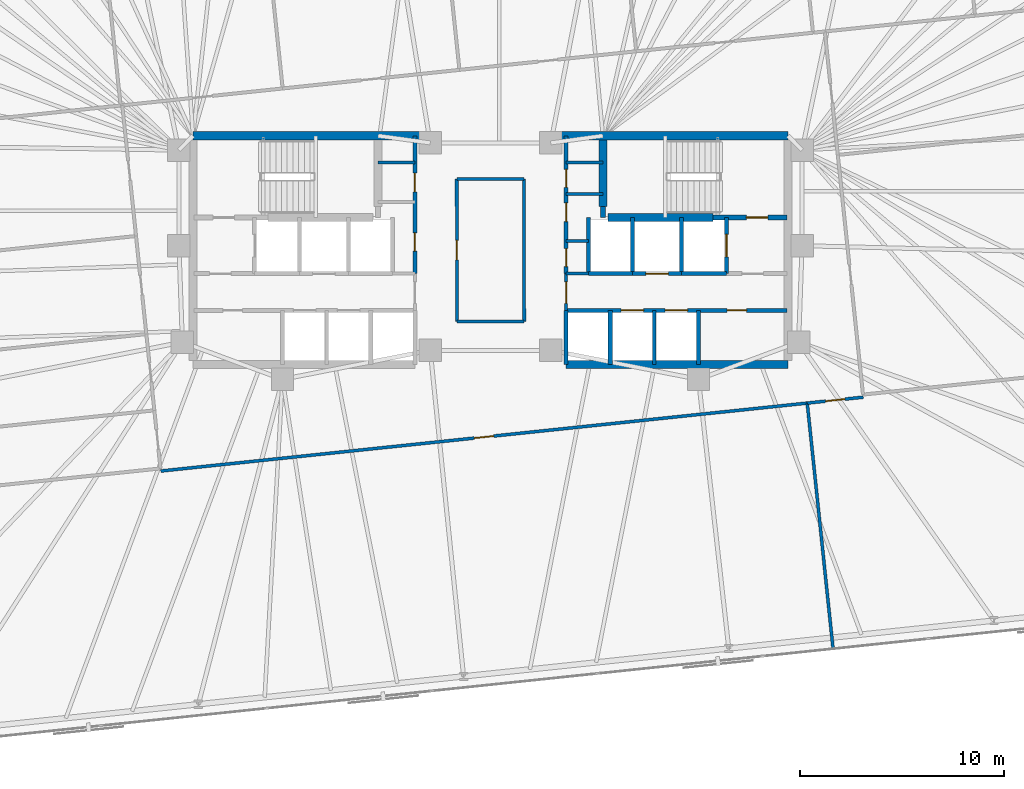
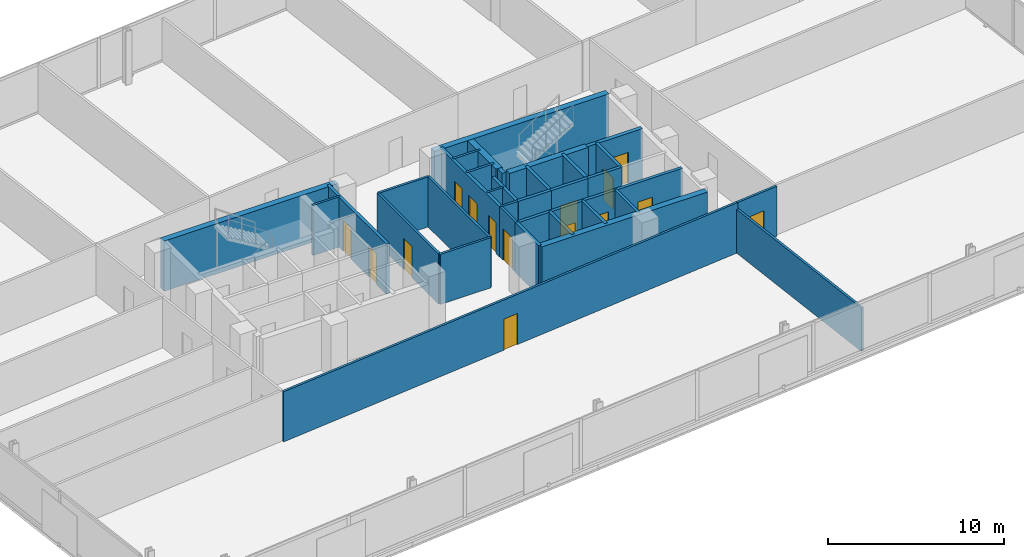
# One storey, part 15 of 18: 34 walls, 15 doors, 15 openings.
"""IFC4 building model written with IfcOpenShell, lengths in metres."""

from ifc_helpers import new_model, si_unit, direction, frame, frame_2d, origin, place, context, subcontext, project, spatial, rectangle, extrude, material, layer, layer_set, type_object, element, fill, save


model = new_model("IFC4")

# Units and contexts
model_context = context("Model", 3, precision=1e-05, world=origin(), true_north=direction((0.0, 1.0)))
body_context = subcontext(model_context, "Body", "Model", "MODEL_VIEW")
ifc_project = project(units=[si_unit("LENGTHUNIT", "METRE"), si_unit("AREAUNIT", "SQUARE_METRE"), si_unit("VOLUMEUNIT", "CUBIC_METRE"), si_unit("PLANEANGLEUNIT", "RADIAN"), si_unit("MASSUNIT", "GRAM", prefix="KILO")], contexts=[model_context])

# Site, building, storey
site_placement = place(None, origin())
site = spatial("IfcSite", under=ifc_project, at=site_placement, CompositionType="ELEMENT")
building_placement = place(site_placement, origin())
building = spatial("IfcBuilding", under=site, at=building_placement, Name="Menara Jurai Vektor", CompositionType="ELEMENT")
storey_placement = place(building_placement, frame((0.0, 0.0, 128.10009765625)))
storey = spatial("IfcBuildingStorey", under=building, at=storey_placement, Name="L32", CompositionType="ELEMENT", Elevation=128.10009765625)

# Wall, opening, door
ifc_material_1 = material(Name="Concrete C40/50", Category="concrete")
ifc_layer_1 = layer(ifc_material_1, 0.25)
ifc_layer_set_1 = layer_set([ifc_layer_1], Name="Concrete C40/50")
wall_type_1 = type_object("IfcWallType", Name="INT-WALL-CORE-250", PredefinedType="STANDARD", material=ifc_layer_set_1)
wall_1_placement = place(storey_placement, frame((10.89990234375, 1.60009765625, 0.0), z_axis=(0.0, 0.0, 1.0), x_axis=(1.0, 0.0, 0.0)))
wall_1 = element("IfcWall", 1, at=wall_1_placement, inside=storey, type_object=wall_type_1, Name="Interior Wall IW-250 L32", PredefinedType="STANDARD", context=body_context, shape_type="SweptSolid", body=[
    extrude(rectangle(XDim=3.60009765625, YDim=0.25, at=frame_2d((1.800048828125, 0.0))), origin(), (0.0, 0.0, 1.0), 3.474853515625),
])
opening_1_placement = place(wall_1_placement, frame((1.6201171875, 0.0, 0.0)))
opening_1 = element("IfcOpeningElement", 2, at=opening_1_placement, cuts=wall_1, Name="Opening D-L32-ST2", PredefinedType="OPENING", context=body_context, shape_type="SweptSolid", body=[
    extrude(rectangle(XDim=1.050048828125, YDim=2.14990234375, at=frame_2d((0.52490234375, 1.074951171875))), frame((0.0, 0.135009765625, 0.0), z_axis=(0.0, -1.0, 0.0), x_axis=(1.0, 0.0, 0.0)), (0.0, 0.0, 1.0), 0.27001953125),
])
ifc_material_2 = material(Name="Fire-Rated Steel Door", Category="steel")
door_type_1 = type_object("IfcDoorType", Name="DR-STAIR-1050", OperationType="NOTDEFINED", PredefinedType="DOOR", material=ifc_material_2)
door_1_placement = place(opening_1_placement, origin())
door_1 = element("IfcDoor", 3, at=door_1_placement, inside=storey, type_object=door_type_1, Name="Exit Stair ST2 Door L32", OperationType="SINGLE_SWING_LEFT", OverallHeight=2.14990234375, OverallWidth=1.050048828125, PredefinedType="DOOR", context=body_context, shape_type="SweptSolid", body=[
    extrude(rectangle(XDim=1.050048828125, YDim=2.14990234375, at=frame_2d((0.52490234375, 1.074951171875))), frame((0.0, 0.02490234375, 0.0), z_axis=(0.0, -1.0, 0.0), x_axis=(1.0, 0.0, 0.0)), (0.0, 0.0, 1.0), 0.050048828125),
])
fill(opening_1, door_1)

# Wall
wall_2_placement = place(storey_placement, frame((5.5, 1.60009765625, 0.0), z_axis=(0.0, 0.0, 1.0), x_axis=(0.0, 1.0, 0.0)))
element("IfcWall", 4, at=wall_2_placement, inside=storey, type_object=wall_type_1, Name="Interior Wall IW-250 L32", PredefinedType="STANDARD", context=body_context, shape_type="SweptSolid", body=[
    extrude(rectangle(XDim=0.5498046875, YDim=0.25, at=frame_2d((0.27490234375, 0.0))), origin(), (0.0, 0.0, 1.0), 3.474853515625),
])

# Wall, opening, door
wall_3_placement = place(storey_placement, frame((11.550048828125, -1.14990234375, 0.0), z_axis=(0.0, 0.0, 1.0), x_axis=(0.0, 1.0, 0.0)))
wall_3 = element("IfcWall", 5, at=wall_3_placement, inside=storey, type_object=wall_type_1, Name="Interior Wall IW-250 L32", PredefinedType="STANDARD", context=body_context, shape_type="SweptSolid", body=[
    extrude(rectangle(XDim=2.75, YDim=0.199951171875, at=frame_2d((1.375, 0.0))), origin(), (0.0, 0.0, 1.0), 3.474853515625),
])
opening_2_placement = place(wall_3_placement, frame((0.824951171875, 0.0, 0.0)))
opening_2 = element("IfcOpeningElement", 6, at=opening_2_placement, cuts=wall_3, Name="Opening LD-L32-FL2", PredefinedType="OPENING", context=body_context, shape_type="SweptSolid", body=[
    extrude(rectangle(XDim=1.10009765625, YDim=2.14990234375, at=frame_2d((0.550048828125, 1.074951171875))), frame((0.0, 0.10986328125, 0.0), z_axis=(0.0, -1.0, 0.0), x_axis=(1.0, 0.0, 0.0)), (0.0, 0.0, 1.0), 0.219970703125),
])
ifc_material_3 = material(Name="Stainless Steel Sliding Lift Landing Door", Category="steel")
door_type_2 = type_object("IfcDoorType", Name="DR-LIFT-FIRE-1100", OperationType="NOTDEFINED", PredefinedType="DOOR", material=ifc_material_3)
door_2_placement = place(opening_2_placement, origin())
door_2 = element("IfcDoor", 7, at=door_2_placement, inside=storey, type_object=door_type_2, Name="Lift Landing Door FL2 L32", OperationType="SLIDING_TO_RIGHT", OverallHeight=2.14990234375, OverallWidth=1.10009765625, PredefinedType="DOOR", context=body_context, shape_type="SweptSolid", body=[
    extrude(rectangle(XDim=1.10009765625, YDim=2.14990234375, at=frame_2d((0.550048828125, 1.074951171875))), frame((0.0, 0.02490234375, 0.0), z_axis=(0.0, -1.0, 0.0), x_axis=(1.0, 0.0, 0.0)), (0.0, 0.0, 1.0), 0.050048828125),
])
fill(opening_2, door_2)

# Walls
wall_4_placement = place(storey_placement, frame((9.35009765625, -1.14990234375, 0.0), z_axis=(0.0, 0.0, 1.0), x_axis=(0.0, 1.0, 0.0)))
element("IfcWall", 8, at=wall_4_placement, inside=storey, type_object=wall_type_1, Name="Interior Wall IW-250 L32", PredefinedType="STANDARD", context=body_context, shape_type="SweptSolid", body=[
    extrude(rectangle(XDim=2.75, YDim=0.199951171875, at=frame_2d((1.375, 0.0))), origin(), (0.0, 0.0, 1.0), 3.474853515625),
])
wall_5_placement = place(storey_placement, frame((9.35009765625, -1.14990234375, 0.0), z_axis=(0.0, 0.0, 1.0), x_axis=(1.0, 0.0, 0.0)))
element("IfcWall", 9, at=wall_5_placement, inside=storey, type_object=wall_type_1, Name="Interior Wall IW-250 L32", PredefinedType="STANDARD", context=body_context, shape_type="SweptSolid", body=[
    extrude(rectangle(XDim=2.199951171875, YDim=0.199951171875, at=frame_2d((1.10009765625, 0.0))), origin(), (0.0, 0.0, 1.0), 3.474853515625),
])

# Wall, opening, door
ifc_material_4 = material(Name="Gypsum Fireboard Partition", Category="gypsum")
ifc_layer_2 = layer(ifc_material_4, 0.14990234375)
ifc_layer_set_2 = layer_set([ifc_layer_2], Name="Gypsum Fireboard Partition")
wall_type_2 = type_object("IfcWallType", Name="INT-WALL-CORR-150", PredefinedType="PARTITIONING", material=ifc_layer_set_2)
wall_6_placement = place(storey_placement, frame((3.699951171875, -2.949951171875, 0.0), z_axis=(0.0, 0.0, 1.0), x_axis=(0.0, 1.0, 0.0)))
wall_6 = element("IfcWall", 10, at=wall_6_placement, inside=storey, type_object=wall_type_2, Name="Interior Wall IW-150 L32", PredefinedType="PARTITIONING", context=body_context, shape_type="SweptSolid", body=[
    extrude(rectangle(XDim=1.800048828125, YDim=0.14990234375, at=frame_2d((0.89990234375, 0.0))), origin(), (0.0, 0.0, 1.0), 3.474853515625),
])
opening_3_placement = place(wall_6_placement, frame((0.35009765625, 0.0, 0.0)))
opening_3 = element("IfcOpeningElement", 11, at=opening_3_placement, cuts=wall_6, Name="Opening D-L32-LLE", PredefinedType="OPENING", context=body_context, shape_type="SweptSolid", body=[
    extrude(rectangle(XDim=1.050048828125, YDim=2.179931640625, at=frame_2d((0.52490234375, 1.08984375))), frame((0.0, 0.0849609375, 0.0), z_axis=(0.0, -1.0, 0.0), x_axis=(1.0, 0.0, 0.0)), (0.0, 0.0, 1.0), 0.169921875),
])
ifc_material_5 = material(Name="Fire-Rated Timber Door", Category="wood")
door_type_3 = type_object("IfcDoorType", Name="DR-LOBBY-1050", OperationType="NOTDEFINED", PredefinedType="DOOR", material=ifc_material_5)
door_3_placement = place(opening_3_placement, frame((1.050048828125, 0.0, 0.0), z_axis=(0.0, 0.0, 1.0), x_axis=(-1.0, 0.0, 0.0)))
door_3 = element("IfcDoor", 12, at=door_3_placement, inside=storey, type_object=door_type_3, Name="Lift Lobby Corridor Door E L32", OperationType="SINGLE_SWING_RIGHT", OverallHeight=2.179931640625, OverallWidth=1.050048828125, PredefinedType="DOOR", context=body_context, shape_type="SweptSolid", body=[
    extrude(rectangle(XDim=1.050048828125, YDim=2.179931640625, at=frame_2d((0.52490234375, 1.08984375))), frame((0.0, 0.02490234375, 0.0), z_axis=(0.0, -1.0, 0.0), x_axis=(1.0, 0.0, 0.0)), (0.0, 0.0, 1.0), 0.050048828125),
])
fill(opening_3, door_3)

# Walls
wall_7_placement = place(storey_placement, frame((3.699951171875, -1.14990234375, 0.0), z_axis=(0.0, 0.0, 1.0), x_axis=(1.0, 0.0, 0.0)))
element("IfcWall", 13, at=wall_7_placement, inside=storey, type_object=wall_type_2, Name="Interior Wall IW-150 L32", PredefinedType="PARTITIONING", context=body_context, shape_type="SweptSolid", body=[
    extrude(rectangle(XDim=1.090087890625, YDim=0.14990234375, at=frame_2d((0.544921875, 0.0))), origin(), (0.0, 0.0, 1.0), 3.474853515625),
])
for number, where, z_axis, x_axis, name in (
    (14, (-5.5, 4.300048828125, 0.0), (0.0, 0.0, 1.0), (1.0, 0.0, 0.0), "Interior Wall IW-150 L32"),
    (15, (3.699951171875, 4.300048828125, 0.0), (0.0, 0.0, 1.0), (1.0, 0.0, 0.0), "Interior Wall IW-150 L32"),
):
    element("IfcWall", number, at=place(storey_placement, frame(where, z_axis=z_axis, x_axis=x_axis)), inside=storey, type_object=wall_type_2, Name=name, PredefinedType="PARTITIONING", context=body_context, shape_type="SweptSolid", body=[
        extrude(rectangle(XDim=1.800048828125, YDim=0.14990234375, at=frame_2d((0.89990234375, 0.0))), origin(), (0.0, 0.0, 1.0), 3.474853515625),
    ])
wall_8_placement = place(storey_placement, frame((3.699951171875, 0.449951171875, 0.0), z_axis=(0.0, 0.0, 1.0), x_axis=(1.0, 0.0, 0.0)))
element("IfcWall", 16, at=wall_8_placement, inside=storey, type_object=wall_type_2, Name="Interior Wall IW-150 L32", PredefinedType="PARTITIONING", context=body_context, shape_type="SweptSolid", body=[
    extrude(rectangle(XDim=1.090087890625, YDim=0.14990234375, at=frame_2d((0.544921875, 0.0))), origin(), (0.0, 0.0, 1.0), 3.474853515625),
])
wall_9_placement = place(storey_placement, frame((3.699951171875, 2.75, 0.0), z_axis=(0.0, 0.0, 1.0), x_axis=(1.0, 0.0, 0.0)))
element("IfcWall", 17, at=wall_9_placement, inside=storey, type_object=wall_type_2, Name="Interior Wall IW-150 L32", PredefinedType="PARTITIONING", context=body_context, shape_type="SweptSolid", body=[
    extrude(rectangle(XDim=1.800048828125, YDim=0.14990234375, at=frame_2d((0.89990234375, 0.0))), origin(), (0.0, 0.0, 1.0), 3.474853515625),
])

# Wall, opening, door
wall_10_placement = place(storey_placement, frame((-1.649658203125, -3.490478515625, 0.0), z_axis=(0.0, 0.0, 1.0), x_axis=(-0.000104928124, 0.999999994495, 0.0)))
wall_10 = element("IfcWall", 18, at=wall_10_placement, inside=storey, type_object=wall_type_2, Name="Interior Wall IW-150 L32", PredefinedType="PARTITIONING", context=body_context, shape_type="SweptSolid", body=[
    extrude(rectangle(XDim=6.980224609375, YDim=0.14990234375, at=frame_2d((3.490234375, 0.0))), origin(), (0.0, 0.0, 1.0), 3.474853515625),
])
opening_4_placement = place(wall_10_placement, frame((3.01513671875, 0.0, 0.0)))
opening_4 = element("IfcOpeningElement", 19, at=opening_4_placement, cuts=wall_10, Name="Opening D32-08", PredefinedType="OPENING", context=body_context, shape_type="SweptSolid", body=[
    extrude(rectangle(XDim=0.949951171875, YDim=2.14990234375, at=frame_2d((0.47509765625, 1.074951171875))), frame((0.0, 0.0849609375, 0.0), z_axis=(0.0, -1.0, 0.0), x_axis=(1.0, 0.0, 0.0)), (0.0, 0.0, 1.0), 0.169921875),
])
ifc_material_6 = material(Name="Solid Core Timber Fire Door", Category="wood")
door_type_4 = type_object("IfcDoorType", Name="DR-ENTRY-950", OperationType="NOTDEFINED", PredefinedType="DOOR", material=ifc_material_6)
door_4_placement = place(opening_4_placement, origin())
door_4 = element("IfcDoor", 20, at=door_4_placement, inside=storey, type_object=door_type_4, Name="Interior Door D32-08", OperationType="SINGLE_SWING_LEFT", OverallHeight=2.14990234375, OverallWidth=0.949951171875, PredefinedType="DOOR", context=body_context, shape_type="SweptSolid", body=[
    extrude(rectangle(XDim=0.949951171875, YDim=2.14990234375, at=frame_2d((0.47509765625, 1.074951171875))), frame((0.0, 0.02490234375, 0.0), z_axis=(0.0, -1.0, 0.0), x_axis=(1.0, 0.0, 0.0)), (0.0, 0.0, 1.0), 0.050048828125),
])
fill(opening_4, door_4)

# Walls
wall_11_placement = place(storey_placement, frame((-1.649658203125, -3.490478515625, 0.0), z_axis=(0.0, 0.0, 1.0), x_axis=(1.0, 0.0, 0.0)))
element("IfcWall", 21, at=wall_11_placement, inside=storey, type_object=wall_type_2, Name="Interior Wall IW-150 L32", PredefinedType="PARTITIONING", context=body_context, shape_type="SweptSolid", body=[
    extrude(rectangle(XDim=3.300048828125, YDim=0.14990234375, at=frame_2d((1.64990234375, 0.0))), origin(), (0.0, 0.0, 1.0), 3.474853515625),
])
wall_12_placement = place(storey_placement, frame((-1.650390625, 3.48974609375, 0.0), z_axis=(0.0, 0.0, 1.0), x_axis=(1.0, 0.0, 0.0)))
element("IfcWall", 22, at=wall_12_placement, inside=storey, type_object=wall_type_2, Name="Interior Wall IW-150 L32", PredefinedType="PARTITIONING", context=body_context, shape_type="SweptSolid", body=[
    extrude(rectangle(XDim=3.30029296875, YDim=0.14990234375, at=frame_2d((1.650146484375, 0.0))), origin(), (0.0, 0.0, 1.0), 3.474853515625),
])
wall_13_placement = place(storey_placement, frame((1.650390625, -3.490478515625, 0.0), z_axis=(0.0, 0.0, 1.0), x_axis=(-6.9952083e-05, 0.999999997553, 0.0)))
element("IfcWall", 23, at=wall_13_placement, inside=storey, type_object=wall_type_2, Name="Interior Wall IW-150 L32", PredefinedType="PARTITIONING", context=body_context, shape_type="SweptSolid", body=[
    extrude(rectangle(XDim=6.980224609375, YDim=0.14990234375, at=frame_2d((3.490234375, 0.0))), origin(), (0.0, 0.0, 1.0), 3.474853515625),
])

# Wall, opening, door
wall_14_placement = place(storey_placement, frame((-16.139892578125, -10.80908203125, 0.0), z_axis=(0.0, 0.0, 1.0), x_axis=(0.994522174335, 0.104525809046, 0.0)))
wall_14 = element("IfcWall", 24, at=wall_14_placement, inside=storey, type_object=wall_type_2, Name="Interior Wall IW-150 L32", PredefinedType="PARTITIONING", context=body_context, shape_type="SweptSolid", body=[
    extrude(rectangle(XDim=31.81689453125, YDim=0.14990234375, at=frame_2d((15.908447265625, 0.0))), origin(), (0.0, 0.0, 1.0), 3.474853515625),
])
opening_5_placement = place(wall_14_placement, frame((15.43359375, 0.0, 0.0)))
opening_5 = element("IfcOpeningElement", 25, at=opening_5_placement, cuts=wall_14, Name="Opening D32-13", PredefinedType="OPENING", context=body_context, shape_type="SweptSolid", body=[
    extrude(rectangle(XDim=0.949951171875, YDim=2.14990234375, at=frame_2d((0.47509765625, 1.074951171875))), frame((0.0, 0.0849609375, 0.0), z_axis=(0.0, -1.0, 0.0), x_axis=(1.0, 0.0, 0.0)), (0.0, 0.0, 1.0), 0.169921875),
])
door_5_placement = place(opening_5_placement, origin())
door_5 = element("IfcDoor", 26, at=door_5_placement, inside=storey, type_object=door_type_4, Name="Interior Door D32-13", OperationType="SINGLE_SWING_RIGHT", OverallHeight=2.14990234375, OverallWidth=0.949951171875, PredefinedType="DOOR", context=body_context, shape_type="SweptSolid", body=[
    extrude(rectangle(XDim=0.949951171875, YDim=2.14990234375, at=frame_2d((0.47509765625, 1.074951171875))), frame((0.0, 0.02490234375, 0.0), z_axis=(0.0, -1.0, 0.0), x_axis=(1.0, 0.0, 0.0)), (0.0, 0.0, 1.0), 0.050048828125),
])
fill(opening_5, door_5)

wall_15_placement = place(storey_placement, frame((15.502685546875, -7.4833984375, 0.0), z_axis=(0.0, 0.0, 1.0), x_axis=(0.994525813133, 0.104491181506, 0.0)))
wall_15 = element("IfcWall", 27, at=wall_15_placement, inside=storey, type_object=wall_type_2, Name="Interior Wall IW-150 L32", PredefinedType="PARTITIONING", context=body_context, shape_type="SweptSolid", body=[
    extrude(rectangle(XDim=2.757080078125, YDim=0.14990234375, at=frame_2d((1.37841796875, 0.0))), origin(), (0.0, 0.0, 1.0), 3.474853515625),
])
opening_6_placement = place(wall_15_placement, frame((0.903564453125, 0.0, 0.0)))
opening_6 = element("IfcOpeningElement", 28, at=opening_6_placement, cuts=wall_15, Name="Opening D32-14", PredefinedType="OPENING", context=body_context, shape_type="SweptSolid", body=[
    extrude(rectangle(XDim=0.949951171875, YDim=2.14990234375, at=frame_2d((0.47509765625, 1.074951171875))), frame((0.0, 0.0849609375, 0.0), z_axis=(0.0, -1.0, 0.0), x_axis=(1.0, 0.0, 0.0)), (0.0, 0.0, 1.0), 0.169921875),
])
door_6_placement = place(opening_6_placement, origin())
door_6 = element("IfcDoor", 29, at=door_6_placement, inside=storey, type_object=door_type_4, Name="Interior Door D32-14", OperationType="SINGLE_SWING_LEFT", OverallHeight=2.14990234375, OverallWidth=0.949951171875, PredefinedType="DOOR", context=body_context, shape_type="SweptSolid", body=[
    extrude(rectangle(XDim=0.949951171875, YDim=2.14990234375, at=frame_2d((0.47509765625, 1.074951171875))), frame((0.0, 0.02490234375, 0.0), z_axis=(0.0, -1.0, 0.0), x_axis=(1.0, 0.0, 0.0)), (0.0, 0.0, 1.0), 0.050048828125),
])
fill(opening_6, door_6)

# Wall
ifc_layer_3 = layer(ifc_material_4, 0.14990234375)
ifc_layer_set_3 = layer_set([ifc_layer_3], Name="Gypsum Fireboard Partition")
wall_type_3 = type_object("IfcWallType", Name="INT-WALL-CORR-150-H1", PredefinedType="PARTITIONING", material=ifc_layer_set_3)
wall_16_placement = place(storey_placement, frame((16.7666015625, -19.510009765625, 0.0), z_axis=(0.0, 0.0, 1.0), x_axis=(-0.104517685722, 0.994523028075, 0.0)))
element("IfcWall", 30, at=wall_16_placement, inside=storey, type_object=wall_type_3, Name="Interior Wall IW-150 L32", PredefinedType="PARTITIONING", context=body_context, shape_type="SweptSolid", body=[
    extrude(rectangle(XDim=12.0927734375, YDim=0.14990234375, at=frame_2d((6.04638671875, 0.0))), origin(), (0.0, 0.0, 1.0), 3.02490234375),
])

# Wall, openings, doors
ifc_layer_4 = layer(ifc_material_1, 0.199951171875)
ifc_layer_set_4 = layer_set([ifc_layer_4], Name="Concrete C40/50")
wall_type_4 = type_object("IfcWallType", Name="INT-WALL-SHAFT-200", PredefinedType="STANDARD", material=ifc_layer_set_4)
wall_17_placement = place(storey_placement, frame((-3.699951171875, -1.14990234375, 0.0), z_axis=(0.0, 0.0, 1.0), x_axis=(0.0, 1.0, 0.0)))
wall_17 = element("IfcWall", 31, at=wall_17_placement, inside=storey, type_object=wall_type_4, Name="Interior Wall IW-200 L32", PredefinedType="STANDARD", context=body_context, shape_type="SweptSolid", body=[
    extrude(rectangle(XDim=6.75, YDim=0.199951171875, at=frame_2d((3.375, 0.0))), origin(), (0.0, 0.0, 1.0), 3.474853515625),
])
opening_7_placement = place(wall_17_placement, frame((1.10009765625, 0.0, 0.0)))
opening_7 = element("IfcOpeningElement", 32, at=opening_7_placement, cuts=wall_17, Name="Opening D32-02", PredefinedType="OPENING", context=body_context, shape_type="SweptSolid", body=[
    extrude(rectangle(XDim=0.89990234375, YDim=2.14990234375, at=frame_2d((0.449951171875, 1.074951171875))), frame((0.0, 0.10986328125, 0.0), z_axis=(0.0, -1.0, 0.0), x_axis=(1.0, 0.0, 0.0)), (0.0, 0.0, 1.0), 0.219970703125),
])
opening_8_placement = place(wall_17_placement, frame((4.0, 0.0, 0.0)))
opening_8 = element("IfcOpeningElement", 33, at=opening_8_placement, cuts=wall_17, Name="Opening D32-03", PredefinedType="OPENING", context=body_context, shape_type="SweptSolid", body=[
    extrude(rectangle(XDim=0.919921875, YDim=2.14990234375, at=frame_2d((0.4599609375, 1.074951171875))), frame((0.0, 0.10986328125, 0.0), z_axis=(0.0, -1.0, 0.0), x_axis=(1.0, 0.0, 0.0)), (0.0, 0.0, 1.0), 0.219970703125),
])
door_7_placement = place(opening_7_placement, origin())
door_7 = element("IfcDoor", 34, at=door_7_placement, inside=storey, type_object=door_type_4, Name="Interior Door D32-02", OperationType="SINGLE_SWING_LEFT", OverallHeight=2.14990234375, OverallWidth=0.89990234375, PredefinedType="DOOR", context=body_context, shape_type="SweptSolid", body=[
    extrude(rectangle(XDim=0.89990234375, YDim=2.14990234375, at=frame_2d((0.449951171875, 1.074951171875))), frame((0.0, 0.02490234375, 0.0), z_axis=(0.0, -1.0, 0.0), x_axis=(1.0, 0.0, 0.0)), (0.0, 0.0, 1.0), 0.050048828125),
])
fill(opening_7, door_7)
door_8_placement = place(opening_8_placement, origin())
door_8 = element("IfcDoor", 35, at=door_8_placement, inside=storey, type_object=door_type_4, Name="Interior Door D32-03", OperationType="SINGLE_SWING_LEFT", OverallHeight=2.14990234375, OverallWidth=0.919921875, PredefinedType="DOOR", context=body_context, shape_type="SweptSolid", body=[
    extrude(rectangle(XDim=0.919921875, YDim=2.14990234375, at=frame_2d((0.4599609375, 1.074951171875))), frame((0.0, 0.02490234375, 0.0), z_axis=(0.0, -1.0, 0.0), x_axis=(1.0, 0.0, 0.0)), (0.0, 0.0, 1.0), 0.050048828125),
])
fill(opening_8, door_8)

wall_18_placement = place(storey_placement, frame((3.699951171875, -1.14990234375, 0.0), z_axis=(0.0, 0.0, 1.0), x_axis=(0.0, 1.0, 0.0)))
wall_18 = element("IfcWall", 36, at=wall_18_placement, inside=storey, type_object=wall_type_4, Name="Interior Wall IW-200 L32", PredefinedType="STANDARD", context=body_context, shape_type="SweptSolid", body=[
    extrude(rectangle(XDim=6.75, YDim=0.199951171875, at=frame_2d((3.375, 0.0))), origin(), (0.0, 0.0, 1.0), 3.474853515625),
])
opening_9_placement = place(wall_18_placement, frame((0.35009765625, 0.0, 0.0)))
opening_9 = element("IfcOpeningElement", 37, at=opening_9_placement, cuts=wall_18, Name="Opening D32-05", PredefinedType="OPENING", context=body_context, shape_type="SweptSolid", body=[
    extrude(rectangle(XDim=0.8798828125, YDim=2.14990234375, at=frame_2d((0.43994140625, 1.074951171875))), frame((0.0, 0.10986328125, 0.0), z_axis=(0.0, -1.0, 0.0), x_axis=(1.0, 0.0, 0.0)), (0.0, 0.0, 1.0), 0.219970703125),
])
opening_10_placement = place(wall_18_placement, frame((2.550048828125, 0.0, 0.0)))
opening_10 = element("IfcOpeningElement", 38, at=opening_10_placement, cuts=wall_18, Name="Opening D32-06", PredefinedType="OPENING", context=body_context, shape_type="SweptSolid", body=[
    extrude(rectangle(XDim=0.919921875, YDim=2.14990234375, at=frame_2d((0.4599609375, 1.074951171875))), frame((0.0, 0.10986328125, 0.0), z_axis=(0.0, -1.0, 0.0), x_axis=(1.0, 0.0, 0.0)), (0.0, 0.0, 1.0), 0.219970703125),
])
opening_11_placement = place(wall_18_placement, frame((4.219970703125, 0.0, 0.0)))
opening_11 = element("IfcOpeningElement", 39, at=opening_11_placement, cuts=wall_18, Name="Opening D32-07", PredefinedType="OPENING", context=body_context, shape_type="SweptSolid", body=[
    extrude(rectangle(XDim=0.8798828125, YDim=2.14990234375, at=frame_2d((0.43994140625, 1.074951171875))), frame((0.0, 0.10986328125, 0.0), z_axis=(0.0, -1.0, 0.0), x_axis=(1.0, 0.0, 0.0)), (0.0, 0.0, 1.0), 0.219970703125),
])
door_9_placement = place(opening_9_placement, origin())
door_9 = element("IfcDoor", 40, at=door_9_placement, inside=storey, type_object=door_type_4, Name="Interior Door D32-05", OperationType="SINGLE_SWING_RIGHT", OverallHeight=2.14990234375, OverallWidth=0.8798828125, PredefinedType="DOOR", context=body_context, shape_type="SweptSolid", body=[
    extrude(rectangle(XDim=0.8798828125, YDim=2.14990234375, at=frame_2d((0.43994140625, 1.074951171875))), frame((0.0, 0.02490234375, 0.0), z_axis=(0.0, -1.0, 0.0), x_axis=(1.0, 0.0, 0.0)), (0.0, 0.0, 1.0), 0.050048828125),
])
fill(opening_9, door_9)
door_10_placement = place(opening_10_placement, origin())
door_10 = element("IfcDoor", 41, at=door_10_placement, inside=storey, type_object=door_type_4, Name="Interior Door D32-06", OperationType="SINGLE_SWING_RIGHT", OverallHeight=2.14990234375, OverallWidth=0.919921875, PredefinedType="DOOR", context=body_context, shape_type="SweptSolid", body=[
    extrude(rectangle(XDim=0.919921875, YDim=2.14990234375, at=frame_2d((0.4599609375, 1.074951171875))), frame((0.0, 0.02490234375, 0.0), z_axis=(0.0, -1.0, 0.0), x_axis=(1.0, 0.0, 0.0)), (0.0, 0.0, 1.0), 0.050048828125),
])
fill(opening_10, door_10)
door_11_placement = place(opening_11_placement, origin())
door_11 = element("IfcDoor", 42, at=door_11_placement, inside=storey, type_object=door_type_4, Name="Interior Door D32-07", OperationType="SINGLE_SWING_RIGHT", OverallHeight=2.14990234375, OverallWidth=0.8798828125, PredefinedType="DOOR", context=body_context, shape_type="SweptSolid", body=[
    extrude(rectangle(XDim=0.8798828125, YDim=2.14990234375, at=frame_2d((0.43994140625, 1.074951171875))), frame((0.0, 0.02490234375, 0.0), z_axis=(0.0, -1.0, 0.0), x_axis=(1.0, 0.0, 0.0)), (0.0, 0.0, 1.0), 0.050048828125),
])
fill(opening_11, door_11)

# Walls
wall_19_placement = place(storey_placement, frame((3.699951171875, -5.60009765625, 0.0), z_axis=(0.0, 0.0, 1.0), x_axis=(0.0, 1.0, 0.0)))
element("IfcWall", 43, at=wall_19_placement, inside=storey, type_object=wall_type_4, Name="Interior Wall IW-200 L32", PredefinedType="STANDARD", context=body_context, shape_type="SweptSolid", body=[
    extrude(rectangle(XDim=2.650146484375, YDim=0.199951171875, at=frame_2d((1.3251953125, 0.0))), origin(), (0.0, 0.0, 1.0), 3.474853515625),
])
wall_20_placement = place(storey_placement, frame((6.949951171875, -1.14990234375, 0.0), z_axis=(0.0, 0.0, 1.0), x_axis=(0.0, 1.0, 0.0)))
element("IfcWall", 44, at=wall_20_placement, inside=storey, type_object=wall_type_4, Name="Interior Wall IW-200 L32", PredefinedType="STANDARD", context=body_context, shape_type="SweptSolid", body=[
    extrude(rectangle(XDim=2.75, YDim=0.199951171875, at=frame_2d((1.375, 0.0))), origin(), (0.0, 0.0, 1.0), 3.474853515625),
])

# Wall, opening, door
wall_21_placement = place(storey_placement, frame((6.949951171875, -1.14990234375, 0.0), z_axis=(0.0, 0.0, 1.0), x_axis=(1.0, 0.0, 0.0)))
wall_21 = element("IfcWall", 45, at=wall_21_placement, inside=storey, type_object=wall_type_4, Name="Interior Wall IW-200 L32", PredefinedType="STANDARD", context=body_context, shape_type="SweptSolid", body=[
    extrude(rectangle(XDim=2.400146484375, YDim=0.199951171875, at=frame_2d((1.2001953125, 0.0))), origin(), (0.0, 0.0, 1.0), 3.474853515625),
])
opening_12_placement = place(wall_21_placement, frame((0.64990234375, 0.0, 0.0)))
opening_12 = element("IfcOpeningElement", 46, at=opening_12_placement, cuts=wall_21, Name="Opening LD-L32-SVL2", PredefinedType="OPENING", context=body_context, shape_type="SweptSolid", body=[
    extrude(rectangle(XDim=1.10009765625, YDim=2.14990234375, at=frame_2d((0.550048828125, 1.074951171875))), frame((0.0, 0.10986328125, 0.0), z_axis=(0.0, -1.0, 0.0), x_axis=(1.0, 0.0, 0.0)), (0.0, 0.0, 1.0), 0.219970703125),
])
ifc_material_7 = material(Name="Anodised Stainless Sliding Lift Landing Door", Category="steel")
door_type_5 = type_object("IfcDoorType", Name="DR-LIFT-PASS-1100", OperationType="NOTDEFINED", PredefinedType="DOOR", material=ifc_material_7)
door_12_placement = place(opening_12_placement, origin())
door_12 = element("IfcDoor", 47, at=door_12_placement, inside=storey, type_object=door_type_5, Name="Lift Landing Door SVL2 L32", OperationType="SLIDING_TO_RIGHT", OverallHeight=2.14990234375, OverallWidth=1.10009765625, PredefinedType="DOOR", context=body_context, shape_type="SweptSolid", body=[
    extrude(rectangle(XDim=1.10009765625, YDim=2.14990234375, at=frame_2d((0.550048828125, 1.074951171875))), frame((0.0, 0.02490234375, 0.0), z_axis=(0.0, -1.0, 0.0), x_axis=(1.0, 0.0, 0.0)), (0.0, 0.0, 1.0), 0.050048828125),
])
fill(opening_12, door_12)

# Walls
wall_22_placement = place(storey_placement, frame((4.7900390625, -1.14990234375, 0.0), z_axis=(0.0, 0.0, 1.0), x_axis=(0.0, 1.0, 0.0)))
element("IfcWall", 48, at=wall_22_placement, inside=storey, type_object=wall_type_4, Name="Interior Wall IW-200 L32", PredefinedType="STANDARD", context=body_context, shape_type="SweptSolid", body=[
    extrude(rectangle(XDim=2.75, YDim=0.199951171875, at=frame_2d((1.375, 0.0))), origin(), (0.0, 0.0, 1.0), 3.474853515625),
])
wall_23_placement = place(storey_placement, frame((4.7900390625, -1.14990234375, 0.0), z_axis=(0.0, 0.0, 1.0), x_axis=(1.0, 0.0, 0.0)))
element("IfcWall", 49, at=wall_23_placement, inside=storey, type_object=wall_type_4, Name="Interior Wall IW-200 L32", PredefinedType="STANDARD", context=body_context, shape_type="SweptSolid", body=[
    extrude(rectangle(XDim=2.159912109375, YDim=0.199951171875, at=frame_2d((1.080078125, 0.0))), origin(), (0.0, 0.0, 1.0), 3.474853515625),
])

# Wall, openings, doors
wall_24_placement = place(storey_placement, frame((3.699951171875, -2.949951171875, 0.0), z_axis=(0.0, 0.0, 1.0), x_axis=(1.0, 0.0, 0.0)))
wall_24 = element("IfcWall", 50, at=wall_24_placement, inside=storey, type_object=wall_type_4, Name="Interior Wall IW-200 L32", PredefinedType="STANDARD", context=body_context, shape_type="SweptSolid", body=[
    extrude(rectangle(XDim=10.800048828125, YDim=0.199951171875, at=frame_2d((5.39990234375, 0.0))), origin(), (0.0, 0.0, 1.0), 3.474853515625),
])
opening_13_placement = place(wall_24_placement, frame((2.68994140625, 0.0, 0.0)))
opening_13 = element("IfcOpeningElement", 51, at=opening_13_placement, cuts=wall_24, Name="Opening LD-L32-PM3", PredefinedType="OPENING", context=body_context, shape_type="SweptSolid", body=[
    extrude(rectangle(XDim=1.10009765625, YDim=2.14990234375, at=frame_2d((0.550048828125, 1.074951171875))), frame((0.0, 0.10986328125, 0.0), z_axis=(0.0, -1.0, 0.0), x_axis=(1.0, 0.0, 0.0)), (0.0, 0.0, 1.0), 0.219970703125),
])
opening_14_placement = place(wall_24_placement, frame((4.85009765625, 0.0, 0.0)))
opening_14 = element("IfcOpeningElement", 52, at=opening_14_placement, cuts=wall_24, Name="Opening LD-L32-PM4", PredefinedType="OPENING", context=body_context, shape_type="SweptSolid", body=[
    extrude(rectangle(XDim=1.10009765625, YDim=2.14990234375, at=frame_2d((0.550048828125, 1.074951171875))), frame((0.0, 0.10986328125, 0.0), z_axis=(0.0, -1.0, 0.0), x_axis=(1.0, 0.0, 0.0)), (0.0, 0.0, 1.0), 0.219970703125),
])
opening_15_placement = place(wall_24_placement, frame((7.8798828125, 0.0, 0.0)))
opening_15 = element("IfcOpeningElement", 53, at=opening_15_placement, cuts=wall_24, Name="Opening D32-04", PredefinedType="OPENING", context=body_context, shape_type="SweptSolid", body=[
    extrude(rectangle(XDim=0.949951171875, YDim=2.14990234375, at=frame_2d((0.47509765625, 1.074951171875))), frame((0.0, 0.10986328125, 0.0), z_axis=(0.0, -1.0, 0.0), x_axis=(1.0, 0.0, 0.0)), (0.0, 0.0, 1.0), 0.219970703125),
])
door_13_placement = place(opening_15_placement, origin())
door_13 = element("IfcDoor", 54, at=door_13_placement, inside=storey, type_object=door_type_4, Name="Interior Door D32-04", OperationType="SINGLE_SWING_LEFT", OverallHeight=2.14990234375, OverallWidth=0.949951171875, PredefinedType="DOOR", context=body_context, shape_type="SweptSolid", body=[
    extrude(rectangle(XDim=0.949951171875, YDim=2.14990234375, at=frame_2d((0.47509765625, 1.074951171875))), frame((0.0, 0.02490234375, 0.0), z_axis=(0.0, -1.0, 0.0), x_axis=(1.0, 0.0, 0.0)), (0.0, 0.0, 1.0), 0.050048828125),
])
fill(opening_15, door_13)
door_14_placement = place(opening_13_placement, origin())
door_14 = element("IfcDoor", 55, at=door_14_placement, inside=storey, type_object=door_type_5, Name="Lift Landing Door PM3 L32", OperationType="SLIDING_TO_LEFT", OverallHeight=2.14990234375, OverallWidth=1.10009765625, PredefinedType="DOOR", context=body_context, shape_type="SweptSolid", body=[
    extrude(rectangle(XDim=1.10009765625, YDim=2.14990234375, at=frame_2d((0.550048828125, 1.074951171875))), frame((0.0, 0.02490234375, 0.0), z_axis=(0.0, -1.0, 0.0), x_axis=(1.0, 0.0, 0.0)), (0.0, 0.0, 1.0), 0.050048828125),
])
fill(opening_13, door_14)
door_15_placement = place(opening_14_placement, origin())
door_15 = element("IfcDoor", 56, at=door_15_placement, inside=storey, type_object=door_type_5, Name="Lift Landing Door PM4 L32", OperationType="SLIDING_TO_RIGHT", OverallHeight=2.14990234375, OverallWidth=1.10009765625, PredefinedType="DOOR", context=body_context, shape_type="SweptSolid", body=[
    extrude(rectangle(XDim=1.10009765625, YDim=2.14990234375, at=frame_2d((0.550048828125, 1.074951171875))), frame((0.0, 0.02490234375, 0.0), z_axis=(0.0, -1.0, 0.0), x_axis=(1.0, 0.0, 0.0)), (0.0, 0.0, 1.0), 0.050048828125),
])
fill(opening_14, door_15)

# Walls
wall_25_placement = place(storey_placement, frame((5.860107421875, -5.60009765625, 0.0), z_axis=(0.0, 0.0, 1.0), x_axis=(0.0, 1.0, 0.0)))
element("IfcWall", 57, at=wall_25_placement, inside=storey, type_object=wall_type_4, Name="Interior Wall IW-200 L32", PredefinedType="STANDARD", context=body_context, shape_type="SweptSolid", body=[
    extrude(rectangle(XDim=2.650146484375, YDim=0.199951171875, at=frame_2d((1.3251953125, 0.0))), origin(), (0.0, 0.0, 1.0), 3.474853515625),
])
for number, where, z_axis, x_axis, name in (
    (58, (10.179931640625, -5.60009765625, 0.0), (0.0, 0.0, 1.0), (0.0, 1.0, 0.0), "Interior Wall IW-200 L32"),
    (59, (8.02001953125, -5.60009765625, 0.0), (0.0, 0.0, 1.0), (0.0, 1.0, 0.0), "Interior Wall IW-200 L32"),
):
    element("IfcWall", number, at=place(storey_placement, frame(where, z_axis=z_axis, x_axis=x_axis)), inside=storey, type_object=wall_type_4, Name=name, PredefinedType="STANDARD", context=body_context, shape_type="SweptSolid", body=[
        extrude(rectangle(XDim=2.650146484375, YDim=0.179931640625, at=frame_2d((1.3251953125, 0.0))), origin(), (0.0, 0.0, 1.0), 3.474853515625),
    ])
ifc_material_8 = material(Name="Concrete C50/60", Category="concrete")
ifc_layer_5 = layer(ifc_material_8, 0.39990234375)
ifc_layer_set_5 = layer_set([ifc_layer_5], Name="Concrete C50/60")
wall_type_5 = type_object("IfcWallType", Name="STR-WALL-CORE400", PredefinedType="SHEAR", material=ifc_layer_set_5)
for number, where, z_axis, x_axis, name in (
    (60, (-14.56005859375, 5.60009765625, 0.0), (0.0, 0.0, 1.0), (1.0, 0.0, 0.0), "Core Shear Wall CW-W-N L32"),
    (61, (3.14990234375, 5.60009765625, 0.0), (0.0, 0.0, 1.0), (1.0, 0.0, 0.0), "Core Shear Wall CW-E-N L32"),
):
    element("IfcWall", number, at=place(storey_placement, frame(where, z_axis=z_axis, x_axis=x_axis)), inside=storey, type_object=wall_type_5, Name=name, PredefinedType="SHEAR", context=body_context, shape_type="SweptSolid", body=[
        extrude(rectangle(XDim=11.41015625, YDim=0.39990234375, at=frame_2d((5.705078125, 0.0))), origin(), (0.0, 0.0, 1.0), 3.474853515625),
    ])
wall_26_placement = place(storey_placement, frame((3.699951171875, -5.60009765625, 0.0), z_axis=(0.0, 0.0, 1.0), x_axis=(1.0, 0.0, 0.0)))
element("IfcWall", 62, at=wall_26_placement, inside=storey, type_object=wall_type_5, Name="Core Shear Wall CW-E-S L32", PredefinedType="SHEAR", context=body_context, shape_type="SweptSolid", body=[
    extrude(rectangle(XDim=10.860107421875, YDim=0.39990234375, at=frame_2d((5.43017578125, 0.0))), origin(), (0.0, 0.0, 1.0), 3.474853515625),
])
wall_27_placement = place(storey_placement, frame((5.5, 2.14990234375, 0.0), z_axis=(0.0, 0.0, 1.0), x_axis=(0.0, 1.0, 0.0)))
element("IfcWall", 63, at=wall_27_placement, inside=storey, type_object=wall_type_5, Name="Core Shear Wall CW-E-ST L32", PredefinedType="SHEAR", context=body_context, shape_type="SweptSolid", body=[
    extrude(rectangle(XDim=3.25, YDim=0.39990234375, at=frame_2d((1.625, 0.0))), origin(), (0.0, 0.0, 1.0), 3.474853515625),
])
wall_28_placement = place(storey_placement, frame((5.75, 1.60009765625, 0.0), z_axis=(0.0, 0.0, 1.0), x_axis=(1.0, 0.0, 0.0)))
element("IfcWall", 64, at=wall_28_placement, inside=storey, type_object=wall_type_5, Name="Core Shear Wall CW-E-STS L32", PredefinedType="SHEAR", context=body_context, shape_type="SweptSolid", body=[
    extrude(rectangle(XDim=5.14990234375, YDim=0.39990234375, at=frame_2d((2.574951171875, 0.0))), origin(), (0.0, 0.0, 1.0), 3.474853515625),
])

save(model, "model.ifc")
